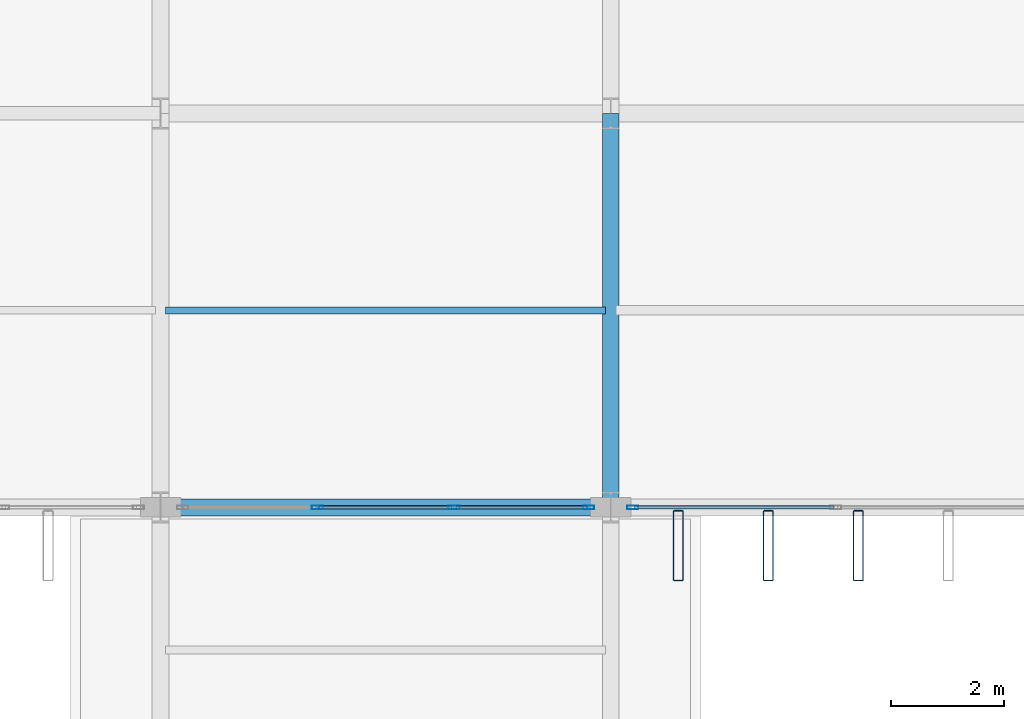
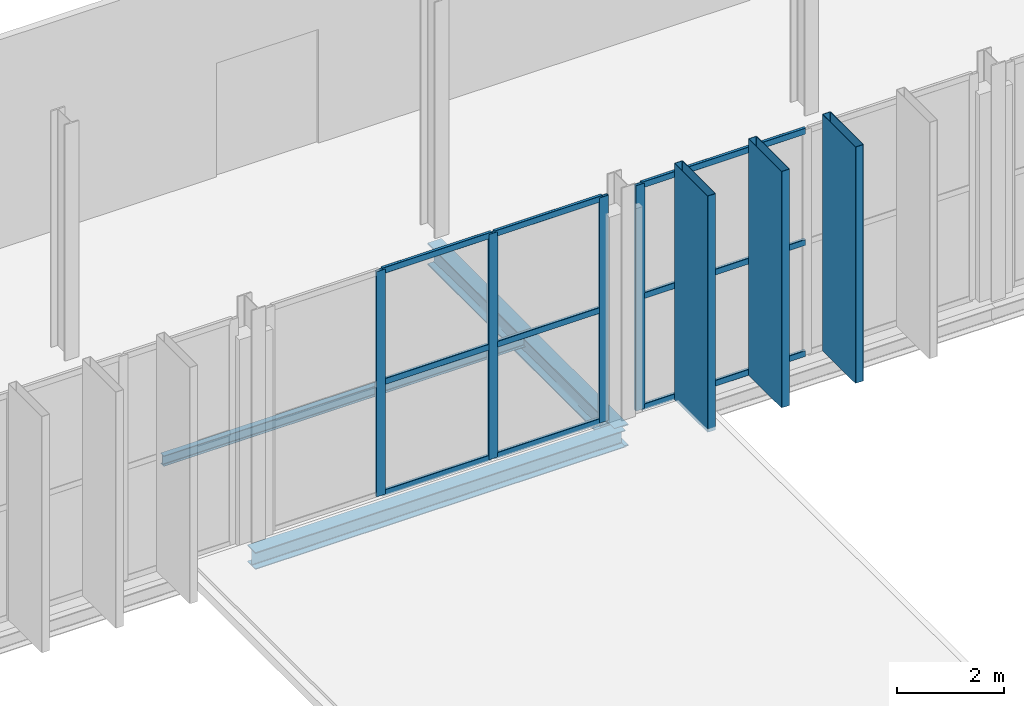
# One storey, part 40 of 147: 16 members, 3 beams, 2 elements without a shape of their own.
"""IFC4 building model written with IfcOpenShell, lengths in metres."""

from ifc_helpers import new_model, si_unit, direction, frame, origin, origin_2d, place, context, subcontext, project, spatial, hollow_rectangle, i_section, extrude, material, layer, layer_set, material_profile, profile_set, type_object, element, aggregate, save


model = new_model("IFC4")

# Units and contexts
model_context = context("Model", 3, precision=1e-05, world=origin(), true_north=direction((0.0, 1.0)))
body_context = subcontext(model_context, "Body", "Model", "MODEL_VIEW")
ifc_project = project(units=[si_unit("LENGTHUNIT", "METRE"), si_unit("AREAUNIT", "SQUARE_METRE"), si_unit("VOLUMEUNIT", "CUBIC_METRE"), si_unit("PLANEANGLEUNIT", "RADIAN"), si_unit("MASSUNIT", "GRAM", prefix="KILO")], contexts=[model_context])

# Site, building, storey
site_placement = place(None, origin())
site = spatial("IfcSite", under=ifc_project, at=site_placement, CompositionType="ELEMENT")
building_placement = place(site_placement, origin())
building = spatial("IfcBuilding", under=site, at=building_placement, Name="Vekula Escarpment Museum", CompositionType="ELEMENT")
storey_placement = place(building_placement, frame((0.0, 0.0, 7.800048828125)))
storey = spatial("IfcBuildingStorey", under=building, at=storey_placement, Name="L02", CompositionType="ELEMENT", Elevation=7.800048828125)

# Beams
ifc_material_1 = material(Name="Steel S355", Category="steel")
ifc_material_profile_1 = material_profile(ifc_material_1, i_section(OverallWidth=0.300048828125, OverallDepth=0.5, WebThickness=0.014404296875, FlangeThickness=0.028076171875, FilletRadius=0.027099609375, at=origin_2d()), Name="HEB 500")
ifc_profile_set_1 = profile_set([ifc_material_profile_1], Name="Steel S355")
beam_type_1 = type_object("IfcBeamType", Name="BM-GIRD-HEB500", PredefinedType="BEAM", material=ifc_profile_set_1)
beam_1_placement = place(storey_placement, frame((102.0, 45.60009765625, -0.510009765625), z_axis=(0.0, 1.0, 0.0), x_axis=(-1.0, 0.0, 0.0)))
element("IfcBeam", 1, at=beam_1_placement, inside=storey, type_object=beam_type_1, Name="Beam Y L02 1174", PredefinedType="BEAM", context=body_context, shape_type="SweptSolid", body=[
    extrude(i_section(OverallWidth=0.300048828125, OverallDepth=0.5, WebThickness=0.014404296875, FlangeThickness=0.028076171875, FilletRadius=0.027099609375, at=origin_2d()), origin(), (0.0, 0.0, 1.0), 7.0),
])
ifc_material_2 = material(Name="Steel S355", Category="steel")
ifc_material_profile_2 = material_profile(ifc_material_2, i_section(OverallWidth=0.1201171875, OverallDepth=0.239990234375, WebThickness=0.006103515625, FlangeThickness=0.009765625, FilletRadius=0.014892578125, at=origin_2d()), Name="IPE 240")
ifc_profile_set_2 = profile_set([ifc_material_profile_2], Name="Steel S355")
beam_type_2 = type_object("IfcBeamType", Name="BM-JST-IPE240", PredefinedType="JOIST", material=ifc_profile_set_2)
beam_2_placement = place(storey_placement, frame((94.090087890625, 49.10009765625, -0.380126953125), z_axis=(1.0, 0.0, 0.0), x_axis=(0.0, 1.0, 0.0)))
element("IfcBeam", 2, at=beam_2_placement, inside=storey, type_object=beam_type_2, Name="Secondary Joist L02 0776", PredefinedType="JOIST", context=body_context, shape_type="SweptSolid", body=[
    extrude(i_section(OverallWidth=0.1201171875, OverallDepth=0.239990234375, WebThickness=0.006103515625, FlangeThickness=0.009765625, FilletRadius=0.014892578125, at=origin_2d()), origin(), (0.0, 0.0, 1.0), 7.81982421875),
])
ifc_material_3 = material(Name="Steel S355", Category="steel")
ifc_material_profile_3 = material_profile(ifc_material_3, i_section(OverallWidth=0.300048828125, OverallDepth=0.389892578125, WebThickness=0.010986328125, FlangeThickness=0.01904296875, FilletRadius=0.027099609375, at=origin_2d()), Name="HEA 400")
ifc_profile_set_3 = profile_set([ifc_material_profile_3], Name="Steel S355")
beam_type_3 = type_object("IfcBeamType", Name="BM-SPAN-HEA400", PredefinedType="SPANDREL", material=ifc_profile_set_3)
beam_3_placement = place(storey_placement, frame((94.0, 45.60009765625, -0.455078125), z_axis=(1.0, 0.0, 0.0), x_axis=(0.0, 1.0, 0.0)))
element("IfcBeam", 3, at=beam_3_placement, inside=storey, type_object=beam_type_3, Name="Beam X L02 0847", PredefinedType="SPANDREL", context=body_context, shape_type="SweptSolid", body=[
    extrude(i_section(OverallWidth=0.300048828125, OverallDepth=0.389892578125, WebThickness=0.010986328125, FlangeThickness=0.01904296875, FilletRadius=0.027099609375, at=origin_2d()), origin(), (0.0, 0.0, 1.0), 8.0),
])

# Curtain wall, members
ifc_material_4 = material(Name="Aluminium thermally broken framing", Category="aluminium")
ifc_layer_1 = layer(ifc_material_4, 0.139892578125)
ifc_layer_set_1 = layer_set([ifc_layer_1], Name="Aluminium thermally broken framing")
curtain_wall_type_1 = type_object("IfcCurtainWallType", Name="CW-SYS-06", PredefinedType="NOTDEFINED", material=ifc_layer_set_1)
curtain_wall_1_placement = place(storey_placement, origin())
curtain_wall_1 = element("IfcCurtainWall", 4, at=curtain_wall_1_placement, inside=storey, type_object=curtain_wall_type_1, Name="Curtain Wall CW-L02-056", PredefinedType="NOTDEFINED")
ifc_material_5 = material(Name="Aluminium anodized mullion", Category="aluminium")
ifc_material_profile_4 = material_profile(ifc_material_5, hollow_rectangle(XDim=0.06494140625, YDim=0.199951171875, WallThickness=0.00390625, InnerFilletRadius=0.00390625, OuterFilletRadius=0.008056640625, at=origin_2d()), Name="ALU 200x65x4")
ifc_profile_set_4 = profile_set([ifc_material_profile_4], Name="Aluminium anodized mullion")
member_type_1 = type_object("IfcMemberType", Name="CW-MUL-200", PredefinedType="MULLION", material=ifc_profile_set_4)
member_1_placement = place(storey_placement, frame((96.78662109375, 45.60009765625, 0.0), z_axis=(0.0, 0.0, 1.0), x_axis=(0.0, 1.0, 0.0)))
member_1 = element("IfcMember", 5, at=member_1_placement, type_object=member_type_1, Name="CW-06 mullion 2", PredefinedType="MULLION", context=body_context, shape_type="SweptSolid", body=[
    extrude(hollow_rectangle(XDim=0.06494140625, YDim=0.199951171875, WallThickness=0.00390625, InnerFilletRadius=0.00390625, OuterFilletRadius=0.008056640625, at=origin_2d()), origin(), (0.0, 0.0, 1.0), 5.14990234375),
])
member_2_placement = place(storey_placement, frame((99.21337890625, 45.60009765625, 0.0), z_axis=(0.0, 0.0, 1.0), x_axis=(0.0, 1.0, 0.0)))
member_2 = element("IfcMember", 6, at=member_2_placement, type_object=member_type_1, Name="CW-06 mullion 3", PredefinedType="MULLION", context=body_context, shape_type="SweptSolid", body=[
    extrude(hollow_rectangle(XDim=0.06494140625, YDim=0.199951171875, WallThickness=0.00390625, InnerFilletRadius=0.00390625, OuterFilletRadius=0.008056640625, at=origin_2d()), origin(), (0.0, 0.0, 1.0), 5.14990234375),
])
member_3_placement = place(storey_placement, frame((101.607421875, 45.60009765625, 0.0), z_axis=(0.0, 0.0, 1.0), x_axis=(0.0, 1.0, 0.0)))
member_3 = element("IfcMember", 7, at=member_3_placement, type_object=member_type_1, Name="CW-06 mullion 4", PredefinedType="MULLION", context=body_context, shape_type="SweptSolid", body=[
    extrude(hollow_rectangle(XDim=0.06494140625, YDim=0.199951171875, WallThickness=0.00390625, InnerFilletRadius=0.00390625, OuterFilletRadius=0.008056640625, at=origin_2d()), origin(), (0.0, 0.0, 1.0), 5.14990234375),
])

# Curtain wall, member
ifc_material_6 = material(Name="Aluminium thermally broken framing", Category="aluminium")
ifc_layer_2 = layer(ifc_material_6, 0.179931640625)
ifc_layer_set_2 = layer_set([ifc_layer_2], Name="Aluminium thermally broken framing")
curtain_wall_type_2 = type_object("IfcCurtainWallType", Name="CW-SYS-07", PredefinedType="NOTDEFINED", material=ifc_layer_set_2)
curtain_wall_2_placement = place(storey_placement, origin())
curtain_wall_2 = element("IfcCurtainWall", 8, at=curtain_wall_2_placement, inside=storey, type_object=curtain_wall_type_2, Name="Curtain Wall CW-L02-057", PredefinedType="NOTDEFINED")
member_4_placement = place(storey_placement, frame((102.392578125, 45.60009765625, 0.0), z_axis=(0.0, 0.0, 1.0), x_axis=(0.0, 1.0, 0.0)))
member_4 = element("IfcMember", 9, at=member_4_placement, type_object=member_type_1, Name="CW-07 mullion 1", PredefinedType="MULLION", context=body_context, shape_type="SweptSolid", body=[
    extrude(hollow_rectangle(XDim=0.06494140625, YDim=0.199951171875, WallThickness=0.00390625, InnerFilletRadius=0.00390625, OuterFilletRadius=0.008056640625, at=origin_2d()), origin(), (0.0, 0.0, 1.0), 5.14990234375),
])

# Member
ifc_material_7 = material(Name="Aluminium anodized transom", Category="aluminium")
ifc_material_profile_5 = material_profile(ifc_material_7, hollow_rectangle(XDim=0.06494140625, YDim=0.139892578125, WallThickness=0.00390625, InnerFilletRadius=0.00390625, OuterFilletRadius=0.008056640625, at=origin_2d()), Name="ALU 140x65x4")
ifc_profile_set_5 = profile_set([ifc_material_profile_5], Name="Aluminium anodized transom")
member_type_2 = type_object("IfcMemberType", Name="CW-TRN-140", PredefinedType="USERDEFINED", material=ifc_profile_set_5)
member_5_placement = place(storey_placement, frame((96.819091796875, 45.60009765625, 0.032470703125), z_axis=(1.0, 0.0, 0.0), x_axis=(0.0, 1.0, 0.0)))
member_5 = element("IfcMember", 10, at=member_5_placement, type_object=member_type_2, Name="CW-06 transom 2.1", ObjectType="TRANSOM", PredefinedType="USERDEFINED", context=body_context, shape_type="SweptSolid", body=[
    extrude(hollow_rectangle(XDim=0.06494140625, YDim=0.139892578125, WallThickness=0.00390625, InnerFilletRadius=0.00390625, OuterFilletRadius=0.008056640625, at=origin_2d()), origin(), (0.0, 0.0, 1.0), 2.36181640625),
])

member_6_placement = place(storey_placement, frame((96.819091796875, 45.60009765625, 2.574951171875), z_axis=(1.0, 0.0, 0.0), x_axis=(0.0, 1.0, 0.0)))
member_6 = element("IfcMember", 11, at=member_6_placement, type_object=member_type_2, Name="CW-06 transom 2.2", ObjectType="TRANSOM", PredefinedType="USERDEFINED", context=body_context, shape_type="SweptSolid", body=[
    extrude(hollow_rectangle(XDim=0.06494140625, YDim=0.139892578125, WallThickness=0.00390625, InnerFilletRadius=0.00390625, OuterFilletRadius=0.008056640625, at=origin_2d()), origin(), (0.0, 0.0, 1.0), 2.36181640625),
])

member_7_placement = place(storey_placement, frame((96.819091796875, 45.60009765625, 5.117431640625), z_axis=(1.0, 0.0, 0.0), x_axis=(0.0, 1.0, 0.0)))
member_7 = element("IfcMember", 12, at=member_7_placement, type_object=member_type_2, Name="CW-06 transom 2.3", ObjectType="TRANSOM", PredefinedType="USERDEFINED", context=body_context, shape_type="SweptSolid", body=[
    extrude(hollow_rectangle(XDim=0.06494140625, YDim=0.139892578125, WallThickness=0.00390625, InnerFilletRadius=0.00390625, OuterFilletRadius=0.008056640625, at=origin_2d()), origin(), (0.0, 0.0, 1.0), 2.36181640625),
])

member_8_placement = place(storey_placement, frame((99.245849609375, 45.60009765625, 0.032470703125), z_axis=(1.0, 0.0, 0.0), x_axis=(0.0, 1.0, 0.0)))
member_8 = element("IfcMember", 13, at=member_8_placement, type_object=member_type_2, Name="CW-06 transom 3.1", ObjectType="TRANSOM", PredefinedType="USERDEFINED", context=body_context, shape_type="SweptSolid", body=[
    extrude(hollow_rectangle(XDim=0.06494140625, YDim=0.139892578125, WallThickness=0.00390625, InnerFilletRadius=0.00390625, OuterFilletRadius=0.008056640625, at=origin_2d()), origin(), (0.0, 0.0, 1.0), 2.3291015625),
])

member_9_placement = place(storey_placement, frame((99.245849609375, 45.60009765625, 2.574951171875), z_axis=(1.0, 0.0, 0.0), x_axis=(0.0, 1.0, 0.0)))
member_9 = element("IfcMember", 14, at=member_9_placement, type_object=member_type_2, Name="CW-06 transom 3.2", ObjectType="TRANSOM", PredefinedType="USERDEFINED", context=body_context, shape_type="SweptSolid", body=[
    extrude(hollow_rectangle(XDim=0.06494140625, YDim=0.139892578125, WallThickness=0.00390625, InnerFilletRadius=0.00390625, OuterFilletRadius=0.008056640625, at=origin_2d()), origin(), (0.0, 0.0, 1.0), 2.3291015625),
])

member_10_placement = place(storey_placement, frame((99.245849609375, 45.60009765625, 5.117431640625), z_axis=(1.0, 0.0, 0.0), x_axis=(0.0, 1.0, 0.0)))
member_10 = element("IfcMember", 15, at=member_10_placement, type_object=member_type_2, Name="CW-06 transom 3.3", ObjectType="TRANSOM", PredefinedType="USERDEFINED", context=body_context, shape_type="SweptSolid", body=[
    extrude(hollow_rectangle(XDim=0.06494140625, YDim=0.139892578125, WallThickness=0.00390625, InnerFilletRadius=0.00390625, OuterFilletRadius=0.008056640625, at=origin_2d()), origin(), (0.0, 0.0, 1.0), 2.3291015625),
])

aggregate(curtain_wall_1, [member_1, member_2, member_3, member_5, member_6, member_7, member_8, member_9, member_10])

member_11_placement = place(storey_placement, frame((102.425048828125, 45.60009765625, 0.032470703125), z_axis=(1.0, 0.0, 0.0), x_axis=(0.0, 1.0, 0.0)))
member_11 = element("IfcMember", 16, at=member_11_placement, type_object=member_type_2, Name="CW-07 transom 1.1", ObjectType="TRANSOM", PredefinedType="USERDEFINED", context=body_context, shape_type="SweptSolid", body=[
    extrude(hollow_rectangle(XDim=0.06494140625, YDim=0.139892578125, WallThickness=0.00390625, InnerFilletRadius=0.00390625, OuterFilletRadius=0.008056640625, at=origin_2d()), origin(), (0.0, 0.0, 1.0), 3.54248046875),
])

member_12_placement = place(storey_placement, frame((102.425048828125, 45.60009765625, 2.574951171875), z_axis=(1.0, 0.0, 0.0), x_axis=(0.0, 1.0, 0.0)))
member_12 = element("IfcMember", 17, at=member_12_placement, type_object=member_type_2, Name="CW-07 transom 1.2", ObjectType="TRANSOM", PredefinedType="USERDEFINED", context=body_context, shape_type="SweptSolid", body=[
    extrude(hollow_rectangle(XDim=0.06494140625, YDim=0.139892578125, WallThickness=0.00390625, InnerFilletRadius=0.00390625, OuterFilletRadius=0.008056640625, at=origin_2d()), origin(), (0.0, 0.0, 1.0), 3.54248046875),
])

member_13_placement = place(storey_placement, frame((102.425048828125, 45.60009765625, 5.117431640625), z_axis=(1.0, 0.0, 0.0), x_axis=(0.0, 1.0, 0.0)))
member_13 = element("IfcMember", 18, at=member_13_placement, type_object=member_type_2, Name="CW-07 transom 1.3", ObjectType="TRANSOM", PredefinedType="USERDEFINED", context=body_context, shape_type="SweptSolid", body=[
    extrude(hollow_rectangle(XDim=0.06494140625, YDim=0.139892578125, WallThickness=0.00390625, InnerFilletRadius=0.00390625, OuterFilletRadius=0.008056640625, at=origin_2d()), origin(), (0.0, 0.0, 1.0), 3.54248046875),
])

aggregate(curtain_wall_2, [member_4, member_11, member_12, member_13])

# Members
ifc_material_8 = material(Name="Steel S355 weathered bronze solar fin", Category="steel")
ifc_material_profile_6 = material_profile(ifc_material_8, hollow_rectangle(XDim=0.179931640625, YDim=1.25, WallThickness=0.010009765625, InnerFilletRadius=0.010009765625, OuterFilletRadius=0.02001953125, at=origin_2d()), Name="RHS 1250x180x10")
ifc_profile_set_6 = profile_set([ifc_material_profile_6], Name="Steel S355 weathered bronze solar fin")
member_type_3 = type_object("IfcMemberType", Name="MB-SOLAR-FIN", PredefinedType="USERDEFINED", material=ifc_profile_set_6)
for number, where, z_axis, x_axis, name in (
    (19, (103.199951171875, 44.919921875, 0.0), (0.0, 0.0, 1.0), (1.0, 0.0, 0.0), "Great Hall Vertical Solar Fin 0067"),
    (20, (104.800048828125, 44.919921875, 0.0), (0.0, 0.0, 1.0), (1.0, 0.0, 0.0), "Great Hall Vertical Solar Fin 0072"),
    (21, (106.39990234375, 44.919921875, 0.0), (0.0, 0.0, 1.0), (1.0, 0.0, 0.0), "Great Hall Vertical Solar Fin 0077"),
):
    element("IfcMember", number, at=place(storey_placement, frame(where, z_axis=z_axis, x_axis=x_axis)), inside=storey, type_object=member_type_3, Name=name, ObjectType="SOLAR FIN", PredefinedType="USERDEFINED", context=body_context, shape_type="SweptSolid", body=[
        extrude(hollow_rectangle(XDim=0.179931640625, YDim=1.25, WallThickness=0.010009765625, InnerFilletRadius=0.010009765625, OuterFilletRadius=0.02001953125, at=origin_2d()), origin(), (0.0, 0.0, 1.0), 5.39990234375),
    ])

save(model, "model.ifc")
